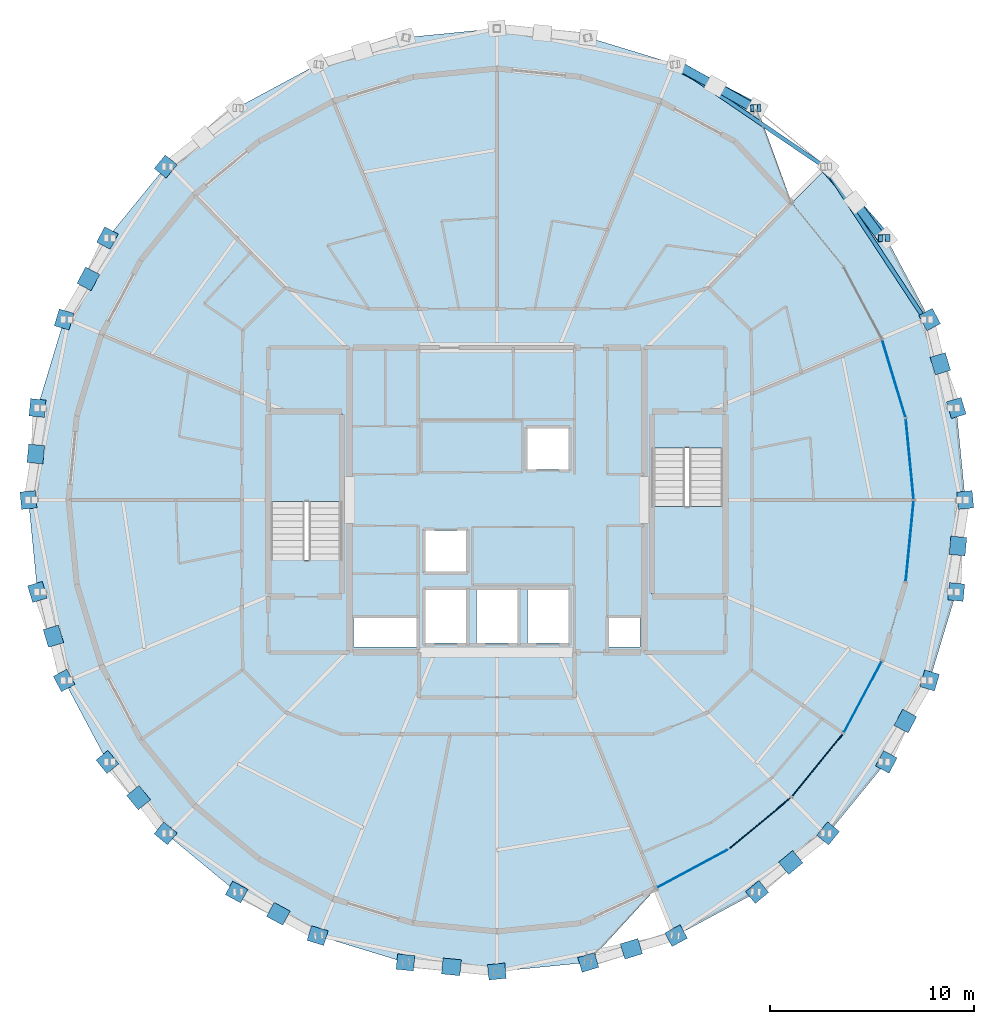
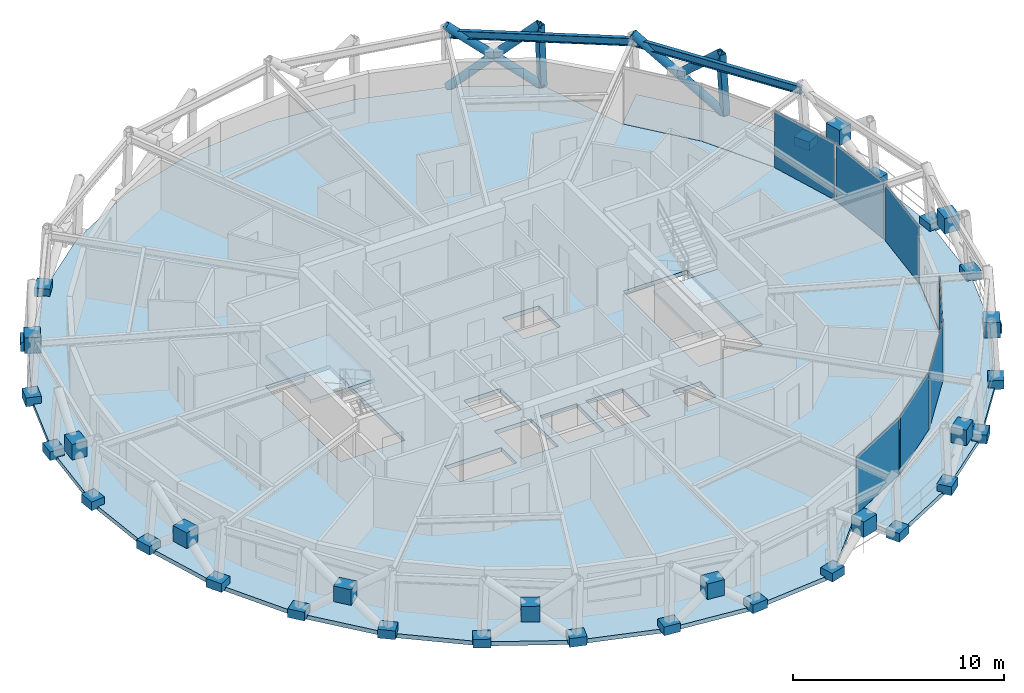
# One storey, part 9 of 15: 41 plates, 7 members, 4 slabs, 2 beams, 4 elements without a shape of their own.
"""IFC4 building model written with IfcOpenShell, lengths in metres."""

from ifc_helpers import new_model, si_unit, direction, frame, origin, origin_2d, place, context, subcontext, project, spatial, polyline, rectangle, hollow_rectangle, hollow_circle, i_section, outline, extrude, material, layer, layer_set, material_profile, profile_set, type_object, element, aggregate, save


model = new_model("IFC4")

# Units and contexts
model_context = context("Model", 3, precision=1e-05, world=origin(), true_north=direction((0.0, 1.0)))
body_context = subcontext(model_context, "Body", "Model", "MODEL_VIEW")
ifc_project = project(units=[si_unit("LENGTHUNIT", "METRE"), si_unit("AREAUNIT", "SQUARE_METRE"), si_unit("VOLUMEUNIT", "CUBIC_METRE"), si_unit("PLANEANGLEUNIT", "RADIAN"), si_unit("MASSUNIT", "GRAM", prefix="KILO")], contexts=[model_context])

# Site, building, storey
site_placement = place(None, origin())
site = spatial("IfcSite", under=ifc_project, at=site_placement, CompositionType="ELEMENT")
building_placement = place(site_placement, origin())
building = spatial("IfcBuilding", under=site, at=building_placement, Name="Veldorina Hangang Commons", CompositionType="ELEMENT")
storey_placement = place(building_placement, frame((0.0, 0.0, 250.800048828125)))
storey = spatial("IfcBuildingStorey", under=building, at=storey_placement, Name="L65", CompositionType="ELEMENT", Elevation=250.800048828125)

# Beams
ifc_material_1 = material(Name="Steel SM355-TMC", Category="steel")
ifc_material_profile_1 = material_profile(ifc_material_1, i_section(OverallWidth=0.199951171875, OverallDepth=0.449951171875, WebThickness=0.009033203125, FlangeThickness=0.013916015625, FilletRadius=0.01611328125, at=origin_2d()), Name="H-450x200x9x14")
ifc_profile_set_1 = profile_set([ifc_material_profile_1], Name="Steel SM355-TMC")
beam_type = type_object("IfcBeamType", Name="BM-RB450", PredefinedType="BEAM", material=ifc_profile_set_1)
beam_1_placement = place(storey_placement, frame((52.93994140625, 32.819580078125, 3.135009765625), z_axis=(-0.549165362874, 0.835713709484, 0.0), x_axis=(-0.835713709484, -0.549165362874, 0.0)))
element("IfcBeam", 1, at=beam_1_placement, inside=storey, type_object=beam_type, Name="L65 perimeter hoop ring beam 02", PredefinedType="BEAM", context=body_context, shape_type="SweptSolid", body=[
    extrude(i_section(OverallWidth=0.199951171875, OverallDepth=0.449951171875, WebThickness=0.009033203125, FlangeThickness=0.013916015625, FilletRadius=0.01611328125, at=origin_2d()), origin(), (0.0, 0.0, 1.0), 8.947021484375),
])
beam_2_placement = place(storey_placement, frame((48.026611328125, 40.296630859375, 3.135009765625), z_axis=(-0.827133831343, 0.562005004469, 0.0), x_axis=(-0.562005004469, -0.827133831343, 0.0)))
element("IfcBeam", 2, at=beam_2_placement, inside=storey, type_object=beam_type, Name="L65 perimeter hoop ring beam 04", PredefinedType="BEAM", context=body_context, shape_type="SweptSolid", body=[
    extrude(i_section(OverallWidth=0.199951171875, OverallDepth=0.449951171875, WebThickness=0.009033203125, FlangeThickness=0.013916015625, FilletRadius=0.01611328125, at=origin_2d()), origin(), (0.0, 0.0, 1.0), 8.8896484375),
])

# Members
ifc_material_profile_2 = material_profile(ifc_material_1, hollow_circle(Radius=0.22509765625, WallThickness=0.02197265625, at=origin_2d()), Name="CHS-450x22")
ifc_profile_set_2 = profile_set([ifc_material_profile_2], Name="Steel SM355-TMC")
member_type_1 = type_object("IfcMemberType", Name="DG-CHS450", PredefinedType="BRACE", material=ifc_profile_set_2)
member_1_placement = place(storey_placement, frame((51.044921875, 36.81005859375, 0.0), z_axis=(-0.51912433147, 0.594540195764, 0.614029220882), x_axis=(-0.753265907658, -0.657716103163, 0.0)))
element("IfcMember", 3, at=member_1_placement, inside=storey, type_object=member_type_1, Name="L65 continuous perimeter diagrid brace 03", PredefinedType="BRACE", context=body_context, shape_type="SweptSolid", body=[
    extrude(hollow_circle(Radius=0.22509765625, WallThickness=0.02197265625, at=origin_2d()), origin(), (0.0, 0.0, 1.0), 5.86279296875),
])
member_2_placement = place(storey_placement, frame((49.519287109375, 38.557373046875, 1.804443359375), z_axis=(0.458975422074, -0.620839659609, 0.635531021264), x_axis=(0.804117982347, 0.594469738898, 0.0)))
element("IfcMember", 4, at=member_2_placement, inside=storey, type_object=member_type_1, Name="L65 split perimeter diagrid upper brace 04", PredefinedType="BRACE", context=body_context, shape_type="SweptSolid", body=[
    extrude(hollow_circle(Radius=0.22509765625, WallThickness=0.02197265625, at=origin_2d()), origin(), (0.0, 0.0, 1.0), 2.824951171875),
])
member_3_placement = place(storey_placement, frame((44.725341796875, 43.171630859375, 0.0), z_axis=(-0.697425821139, 0.363623047029, 0.617556073306), x_axis=(-0.462314851589, -0.886715838361, 0.0)))
element("IfcMember", 5, at=member_3_placement, inside=storey, type_object=member_type_1, Name="L65 continuous perimeter diagrid brace 05", PredefinedType="BRACE", context=body_context, shape_type="SweptSolid", body=[
    extrude(hollow_circle(Radius=0.22509765625, WallThickness=0.02197265625, at=origin_2d()), origin(), (0.0, 0.0, 1.0), 5.8291015625),
])
member_4_placement = place(storey_placement, frame((40.765380859375, 45.302490234375, 0.0), z_axis=(0.674487187127, -0.374896379248, 0.636018662641), x_axis=(0.485822429049, 0.874057530963, 0.0)))
element("IfcMember", 6, at=member_4_placement, inside=storey, type_object=member_type_1, Name="L65 split perimeter diagrid lower brace 06", PredefinedType="BRACE", context=body_context, shape_type="SweptSolid", body=[
    extrude(hollow_circle(Radius=0.22509765625, WallThickness=0.02197265625, at=origin_2d()), origin(), (0.0, 0.0, 1.0), 2.84326171875),
])
member_5_placement = place(storey_placement, frame((42.68310546875, 44.236572265625, 1.808349609375), z_axis=(0.670694168829, -0.381631742744, 0.636024012777), x_axis=(0.494553508677, 0.86914718377, 0.0)))
element("IfcMember", 7, at=member_5_placement, inside=storey, type_object=member_type_1, Name="L65 split perimeter diagrid upper brace 06", PredefinedType="BRACE", context=body_context, shape_type="SweptSolid", body=[
    extrude(hollow_circle(Radius=0.22509765625, WallThickness=0.02197265625, at=origin_2d()), origin(), (0.0, 0.0, 1.0), 2.816650390625),
])
ifc_material_profile_3 = material_profile(ifc_material_1, hollow_rectangle(XDim=0.35009765625, YDim=0.35009765625, WallThickness=0.01611328125, at=origin_2d()), Name="SHS-350x350x16")
ifc_profile_set_3 = profile_set([ifc_material_profile_3], Name="Steel SM355-TMC")
member_type_2 = type_object("IfcMemberType", Name="STR-SHS350", PredefinedType="STRUT", material=ifc_profile_set_3)
member_6_placement = place(storey_placement, frame((51.044921875, 36.81005859375, 0.0), z_axis=(-0.063486348579, -0.001827432209, 0.997981033906), x_axis=(0.028772730747, -0.999585979276, 0.0)))
element("IfcMember", 8, at=member_6_placement, inside=storey, type_object=member_type_2, Name="L65 perimeter ring node post 03", PredefinedType="STRUT", context=body_context, shape_type="SweptSolid", body=[
    extrude(hollow_rectangle(XDim=0.35009765625, YDim=0.35009765625, WallThickness=0.01611328125, at=origin_2d()), origin(), (0.0, 0.0, 1.0), 3.607177734375),
])
member_7_placement = place(storey_placement, frame((44.725341796875, 43.171630859375, 0.0), z_axis=(-0.04248433237, -0.00277808234, 0.999093270802), x_axis=(0.065251392563, -0.997868856999, 0.0)))
element("IfcMember", 9, at=member_7_placement, inside=storey, type_object=member_type_2, Name="L65 perimeter ring node post 05", PredefinedType="STRUT", context=body_context, shape_type="SweptSolid", body=[
    extrude(hollow_rectangle(XDim=0.35009765625, YDim=0.35009765625, WallThickness=0.01611328125, at=origin_2d()), origin(), (0.0, 0.0, 1.0), 3.60302734375),
])

# Curtain wall, plates
ifc_material_2 = material(Name="Glass Low-E Selective", Category="glass")
ifc_layer_1 = layer(ifc_material_2, 0.179931640625)
ifc_layer_set_1 = layer_set([ifc_layer_1], Name="Glass Low-E Selective")
curtain_wall_type = type_object("IfcCurtainWallType", Name="CW-SYS-Z3", PredefinedType="NOTDEFINED", material=ifc_layer_set_1)
curtain_wall_1_placement = place(storey_placement, origin())
curtain_wall_1 = element("IfcCurtainWall", 10, at=curtain_wall_1_placement, inside=storey, type_object=curtain_wall_type, Name="L65 unitised curtain wall CW-L65-R1", PredefinedType="NOTDEFINED")
ifc_material_3 = material(Name="Glass Low-E Triple IGU", Category="glass")
ifc_layer_2 = layer(ifc_material_3, 0.0400390625)
ifc_layer_set_2 = layer_set([ifc_layer_2], Name="Glass Low-E Triple IGU")
plate_type_1 = type_object("IfcPlateType", Name="CW-PNL-VIS", PredefinedType="CURTAIN_PANEL", material=ifc_layer_set_2)
plate_1_placement = place(storey_placement, frame((41.563232421875, 5.974609375, 0.014892578125), z_axis=(0.0, 0.0, 1.0), x_axis=(0.880452529102, 0.474134310084, 0.0)))
plate_1 = element("IfcPlate", 11, at=plate_1_placement, type_object=plate_type_1, Name="CW-L65-R1 facet 1 glazed vision panel", PredefinedType="CURTAIN_PANEL", context=body_context, shape_type="SweptSolid", body=[
    extrude(rectangle(XDim=3.82275390625, YDim=0.0400390625, at=origin_2d()), origin(), (0.0, 0.0, 1.0), 3.2900390625),
])
plate_2_placement = place(storey_placement, frame((44.8701171875, 8.20068359375, 0.014892578125), z_axis=(0.0, 0.0, 1.0), x_axis=(0.770691215088, 0.637208797009, 0.0)))
plate_2 = element("IfcPlate", 12, at=plate_2_placement, type_object=plate_type_1, Name="CW-L65-R1 facet 2 glazed vision panel", PredefinedType="CURTAIN_PANEL", context=body_context, shape_type="SweptSolid", body=[
    extrude(rectangle(XDim=3.828125, YDim=0.0400390625, at=origin_2d()), origin(), (0.0, 0.0, 1.0), 3.2900390625),
])
plate_3_placement = place(storey_placement, frame((47.68212890625, 11.03369140625, 0.014892578125), z_axis=(0.0, 0.0, 1.0), x_axis=(0.631569330094, 0.775319405977, 0.0)))
plate_3 = element("IfcPlate", 13, at=plate_3_placement, type_object=plate_type_1, Name="CW-L65-R1 facet 3 glazed vision panel", PredefinedType="CURTAIN_PANEL", context=body_context, shape_type="SweptSolid", body=[
    extrude(rectangle(XDim=3.833984375, YDim=0.0400390625, at=origin_2d()), origin(), (0.0, 0.0, 1.0), 3.2900390625),
])
plate_4_placement = place(storey_placement, frame((49.8916015625, 14.365234375, 0.014892578125), z_axis=(0.0, 0.0, 1.0), x_axis=(0.468670031731, 0.88337330804, 0.0)))
plate_4 = element("IfcPlate", 14, at=plate_4_placement, type_object=plate_type_1, Name="CW-L65-R1 facet 4 glazed vision panel", PredefinedType="CURTAIN_PANEL", context=body_context, shape_type="SweptSolid", body=[
    extrude(rectangle(XDim=3.839599609375, YDim=0.0400390625, at=origin_2d()), origin(), (0.0, 0.0, 1.0), 3.2900390625),
])
aggregate(curtain_wall_1, [plate_1, plate_2, plate_3, plate_4])

curtain_wall_2_placement = place(storey_placement, origin())
curtain_wall_2 = element("IfcCurtainWall", 15, at=curtain_wall_2_placement, inside=storey, type_object=curtain_wall_type, Name="L65 unitised curtain wall CW-L65-R2", PredefinedType="NOTDEFINED")
plate_5_placement = place(storey_placement, frame((52.189208984375, 21.99658203125, 0.014892578125), z_axis=(0.0, 0.0, 1.0), x_axis=(0.097304976039, 0.995254611463, 0.0)))
plate_5 = element("IfcPlate", 16, at=plate_5_placement, type_object=plate_type_1, Name="CW-L65-R2 facet 1 glazed vision panel", PredefinedType="CURTAIN_PANEL", context=body_context, shape_type="SweptSolid", body=[
    extrude(rectangle(XDim=3.845703125, YDim=0.0400390625, at=origin_2d()), origin(), (0.0, 0.0, 1.0), 3.2900390625),
])
plate_6_placement = place(storey_placement, frame((52.189208984375, 26.00341796875, 0.014892578125), z_axis=(0.0, 0.0, 1.0), x_axis=(-0.097304976039, 0.995254611463, 0.0)))
plate_6 = element("IfcPlate", 17, at=plate_6_placement, type_object=plate_type_1, Name="CW-L65-R2 facet 2 glazed vision panel", PredefinedType="CURTAIN_PANEL", context=body_context, shape_type="SweptSolid", body=[
    extrude(rectangle(XDim=3.845703125, YDim=0.0400390625, at=origin_2d()), origin(), (0.0, 0.0, 1.0), 3.2900390625),
])
plate_7_placement = place(storey_placement, frame((51.41357421875, 29.93310546875, 0.014892578125), z_axis=(0.0, 0.0, 1.0), x_axis=(-0.288296543192, 0.957541175712, 0.0)))
plate_7 = element("IfcPlate", 18, at=plate_7_placement, type_object=plate_type_1, Name="CW-L65-R2 facet 3 glazed vision panel", PredefinedType="CURTAIN_PANEL", context=body_context, shape_type="SweptSolid", body=[
    extrude(rectangle(XDim=3.843505859375, YDim=0.0400390625, at=origin_2d()), origin(), (0.0, 0.0, 1.0), 3.2900390625),
])
aggregate(curtain_wall_2, [plate_5, plate_6, plate_7])

# Plates
ifc_material_4 = material(Name="Steel SM460-TMC", Category="steel")
ifc_layer_3 = layer(ifc_material_4, 0.035888671875)
ifc_layer_set_3 = layer_set([ifc_layer_3], Name="Steel SM460-TMC")
plate_type_2 = type_object("IfcPlateType", Name="PL-STAR-36", PredefinedType="USERDEFINED", material=ifc_layer_set_3)
for number, where, z_axis, x_axis, name in (
    (19, (54.9052734375, 24.0, -0.090087890625), (0.0, 0.0, 1.0), (-0.097374457681, 0.995247815869, 0.0), "L65 diagrid star-node gusset plate 00"),
    (20, (54.465087890625, 28.498291015625, -0.090087890625), (0.0, 0.0, 1.0), (-0.288530506031, 0.957470702993, 0.0), "L65 diagrid star-node gusset plate 01"),
):
    element("IfcPlate", number, at=place(storey_placement, frame(where, z_axis=z_axis, x_axis=x_axis)), inside=storey, type_object=plate_type_2, Name=name, ObjectType="GUSSET PLATE", PredefinedType="USERDEFINED", context=body_context, shape_type="SweptSolid", body=[
        extrude(rectangle(XDim=0.85009765625, YDim=0.75, at=origin_2d()), origin(), (0.0, 0.0, 1.0), 0.5),
    ])
plate_8_placement = place(storey_placement, frame((53.685546875, 30.660400390625, 1.351318359375), z_axis=(0.0, 0.0, 1.0), x_axis=(-0.288530506031, 0.957470702993, 0.0)))
element("IfcPlate", 21, at=plate_8_placement, inside=storey, type_object=plate_type_2, Name="L65 diagrid X-crossing star-node gusset plate 01", ObjectType="GUSSET PLATE", PredefinedType="USERDEFINED", context=body_context, shape_type="SweptSolid", body=[
    extrude(rectangle(XDim=0.89990234375, YDim=0.780029296875, at=origin_2d()), origin(), (0.0, 0.0, 1.0), 0.89990234375),
])
for number, where, z_axis, x_axis, name in (
    (22, (53.16162109375, 32.82373046875, -0.090087890625), (0.0, 0.0, 1.0), (-0.468962943639, 0.883217842604, 0.0), "L65 diagrid star-node gusset plate 02"),
    (23, (15.8037109375, 40.30419921875, -0.090087890625), (0.0, 0.0, 1.0), (-0.631880512357, -0.775065815337, 0.0), "L65 diagrid star-node gusset plate 12"),
    (24, (12.955078125, 36.81005859375, -0.090087890625), (0.0, 0.0, 1.0), (-0.468962943639, -0.883217842604, 0.0), "L65 diagrid star-node gusset plate 13"),
):
    element("IfcPlate", number, at=place(storey_placement, frame(where, z_axis=z_axis, x_axis=x_axis)), inside=storey, type_object=plate_type_2, Name=name, ObjectType="GUSSET PLATE", PredefinedType="USERDEFINED", context=body_context, shape_type="SweptSolid", body=[
        extrude(rectangle(XDim=0.85009765625, YDim=0.75, at=origin_2d()), origin(), (0.0, 0.0, 1.0), 0.5),
    ])
plate_9_placement = place(storey_placement, frame((12.022705078125, 34.8115234375, 1.352783203125), z_axis=(0.0, 0.0, 1.0), x_axis=(-0.468962943639, -0.883217842604, 0.0)))
element("IfcPlate", 25, at=plate_9_placement, inside=storey, type_object=plate_type_2, Name="L65 diagrid X-crossing star-node gusset plate 13", ObjectType="GUSSET PLATE", PredefinedType="USERDEFINED", context=body_context, shape_type="SweptSolid", body=[
    extrude(rectangle(XDim=0.89990234375, YDim=0.780029296875, at=origin_2d()), origin(), (0.0, 0.0, 1.0), 0.89990234375),
])
for number, where, z_axis, x_axis, name in (
    (26, (10.83837890625, 32.82373046875, -0.090087890625), (0.0, 0.0, 1.0), (-0.288530506031, -0.957470702993, 0.0), "L65 diagrid star-node gusset plate 14"),
    (27, (9.534912109375, 28.498291015625, -0.090087890625), (0.0, 0.0, 1.0), (-0.097374457681, -0.995247815869, 0.0), "L65 diagrid star-node gusset plate 15"),
):
    element("IfcPlate", number, at=place(storey_placement, frame(where, z_axis=z_axis, x_axis=x_axis)), inside=storey, type_object=plate_type_2, Name=name, ObjectType="GUSSET PLATE", PredefinedType="USERDEFINED", context=body_context, shape_type="SweptSolid", body=[
        extrude(rectangle(XDim=0.85009765625, YDim=0.75, at=origin_2d()), origin(), (0.0, 0.0, 1.0), 0.5),
    ])
plate_10_placement = place(storey_placement, frame((9.45263671875, 26.24853515625, 1.3505859375), z_axis=(0.0, 0.0, 1.0), x_axis=(-0.097374457681, -0.995247815869, 0.0)))
element("IfcPlate", 28, at=plate_10_placement, inside=storey, type_object=plate_type_2, Name="L65 diagrid X-crossing star-node gusset plate 15", ObjectType="GUSSET PLATE", PredefinedType="USERDEFINED", context=body_context, shape_type="SweptSolid", body=[
    extrude(rectangle(XDim=0.89990234375, YDim=0.780029296875, at=origin_2d()), origin(), (0.0, 0.0, 1.0), 0.89990234375),
])
for number, where, z_axis, x_axis, name in (
    (29, (9.0947265625, 24.0, -0.090087890625), (0.0, 0.0, 1.0), (0.097374457681, -0.995247815869, 0.0), "L65 diagrid star-node gusset plate 16"),
    (30, (9.534912109375, 19.501708984375, -0.090087890625), (0.0, 0.0, 1.0), (0.288530506031, -0.957470702993, 0.0), "L65 diagrid star-node gusset plate 17"),
):
    element("IfcPlate", number, at=place(storey_placement, frame(where, z_axis=z_axis, x_axis=x_axis)), inside=storey, type_object=plate_type_2, Name=name, ObjectType="GUSSET PLATE", PredefinedType="USERDEFINED", context=body_context, shape_type="SweptSolid", body=[
        extrude(rectangle(XDim=0.85009765625, YDim=0.75, at=origin_2d()), origin(), (0.0, 0.0, 1.0), 0.5),
    ])
plate_11_placement = place(storey_placement, frame((10.314453125, 17.339599609375, 1.351318359375), z_axis=(0.0, 0.0, 1.0), x_axis=(0.288530506031, -0.957470702993, 0.0)))
element("IfcPlate", 31, at=plate_11_placement, inside=storey, type_object=plate_type_2, Name="L65 diagrid X-crossing star-node gusset plate 17", ObjectType="GUSSET PLATE", PredefinedType="USERDEFINED", context=body_context, shape_type="SweptSolid", body=[
    extrude(rectangle(XDim=0.89990234375, YDim=0.780029296875, at=origin_2d()), origin(), (0.0, 0.0, 1.0), 0.89990234375),
])
for number, where, z_axis, x_axis, name in (
    (32, (10.83837890625, 15.17626953125, -0.090087890625), (0.0, 0.0, 1.0), (0.468962943639, -0.883217842604, 0.0), "L65 diagrid star-node gusset plate 18"),
    (33, (12.955078125, 11.18994140625, -0.090087890625), (0.0, 0.0, 1.0), (0.631880512357, -0.775065815337, 0.0), "L65 diagrid star-node gusset plate 19"),
):
    element("IfcPlate", number, at=place(storey_placement, frame(where, z_axis=z_axis, x_axis=x_axis)), inside=storey, type_object=plate_type_2, Name=name, ObjectType="GUSSET PLATE", PredefinedType="USERDEFINED", context=body_context, shape_type="SweptSolid", body=[
        extrude(rectangle(XDim=0.85009765625, YDim=0.75, at=origin_2d()), origin(), (0.0, 0.0, 1.0), 0.5),
    ])
plate_12_placement = place(storey_placement, frame((14.480712890625, 9.442626953125, 1.3544921875), z_axis=(0.0, 0.0, 1.0), x_axis=(0.631880512357, -0.775065815337, 0.0)))
element("IfcPlate", 34, at=plate_12_placement, inside=storey, type_object=plate_type_2, Name="L65 diagrid X-crossing star-node gusset plate 19", ObjectType="GUSSET PLATE", PredefinedType="USERDEFINED", context=body_context, shape_type="SweptSolid", body=[
    extrude(rectangle(XDim=0.89990234375, YDim=0.780029296875, at=origin_2d()), origin(), (0.0, 0.0, 1.0), 0.89990234375),
])
for number, where, z_axis, x_axis, name in (
    (35, (15.8037109375, 7.69580078125, -0.090087890625), (0.0, 0.0, 1.0), (0.770946944991, -0.636899370395, 0.0), "L65 diagrid star-node gusset plate 20"),
    (36, (19.274658203125, 4.828369140625, -0.090087890625), (0.0, 0.0, 1.0), (0.880617979554, -0.473826945293, 0.0), "L65 diagrid star-node gusset plate 21"),
):
    element("IfcPlate", number, at=place(storey_placement, frame(where, z_axis=z_axis, x_axis=x_axis)), inside=storey, type_object=plate_type_2, Name=name, ObjectType="GUSSET PLATE", PredefinedType="USERDEFINED", context=body_context, shape_type="SweptSolid", body=[
        extrude(rectangle(XDim=0.85009765625, YDim=0.75, at=origin_2d()), origin(), (0.0, 0.0, 1.0), 0.5),
    ])
plate_13_placement = place(storey_placement, frame((21.31689453125, 3.763427734375, 1.3583984375), z_axis=(0.0, 0.0, 1.0), x_axis=(0.880617979554, -0.473826945293, 0.0)))
element("IfcPlate", 37, at=plate_13_placement, inside=storey, type_object=plate_type_2, Name="L65 diagrid X-crossing star-node gusset plate 21", ObjectType="GUSSET PLATE", PredefinedType="USERDEFINED", context=body_context, shape_type="SweptSolid", body=[
    extrude(rectangle(XDim=0.89990234375, YDim=0.780029296875, at=origin_2d()), origin(), (0.0, 0.0, 1.0), 0.89990234375),
])
for number, where, z_axis, x_axis, name in (
    (38, (23.234619140625, 2.697509765625, -0.090087890625), (0.0, 0.0, 1.0), (0.95639656005, -0.2920712583, 0.0), "L65 diagrid star-node gusset plate 22"),
    (39, (27.531494140625, 1.385498046875, -0.090087890625), (0.0, 0.0, 1.0), (0.995121222463, -0.098659782103, 0.0), "L65 diagrid star-node gusset plate 23"),
):
    element("IfcPlate", number, at=place(storey_placement, frame(where, z_axis=z_axis, x_axis=x_axis)), inside=storey, type_object=plate_type_2, Name=name, ObjectType="GUSSET PLATE", PredefinedType="USERDEFINED", context=body_context, shape_type="SweptSolid", body=[
        extrude(rectangle(XDim=0.85009765625, YDim=0.75, at=origin_2d()), origin(), (0.0, 0.0, 1.0), 0.5),
    ])
plate_14_placement = place(storey_placement, frame((29.779052734375, 1.168701171875, 1.36083984375), z_axis=(0.0, 0.0, 1.0), x_axis=(0.995121222463, -0.098659782103, 0.0)))
element("IfcPlate", 40, at=plate_14_placement, inside=storey, type_object=plate_type_2, Name="L65 diagrid X-crossing star-node gusset plate 23", ObjectType="GUSSET PLATE", PredefinedType="USERDEFINED", context=body_context, shape_type="SweptSolid", body=[
    extrude(rectangle(XDim=0.89990234375, YDim=0.780029296875, at=origin_2d()), origin(), (0.0, 0.0, 1.0), 0.89990234375),
])
for number, where, z_axis, x_axis, name in (
    (41, (32.0, 0.9423828125, -0.090087890625), (0.0, 0.0, 1.0), (0.995121222463, 0.098659782103, 0.0), "L65 diagrid star-node gusset plate 24"),
    (42, (36.468505859375, 1.385498046875, -0.090087890625), (0.0, 0.0, 1.0), (0.95639656005, 0.2920712583, 0.0), "L65 diagrid star-node gusset plate 25"),
):
    element("IfcPlate", number, at=place(storey_placement, frame(where, z_axis=z_axis, x_axis=x_axis)), inside=storey, type_object=plate_type_2, Name=name, ObjectType="GUSSET PLATE", PredefinedType="USERDEFINED", context=body_context, shape_type="SweptSolid", body=[
        extrude(rectangle(XDim=0.85009765625, YDim=0.75, at=origin_2d()), origin(), (0.0, 0.0, 1.0), 0.5),
    ])
plate_15_placement = place(storey_placement, frame((38.575927734375, 2.05078125, 1.360107421875), z_axis=(0.0, 0.0, 1.0), x_axis=(0.95639656005, 0.2920712583, 0.0)))
element("IfcPlate", 43, at=plate_15_placement, inside=storey, type_object=plate_type_2, Name="L65 diagrid X-crossing star-node gusset plate 25", ObjectType="GUSSET PLATE", PredefinedType="USERDEFINED", context=body_context, shape_type="SweptSolid", body=[
    extrude(rectangle(XDim=0.89990234375, YDim=0.780029296875, at=origin_2d()), origin(), (0.0, 0.0, 1.0), 0.89990234375),
])
for number, where, z_axis, x_axis, name in (
    (44, (40.765380859375, 2.697509765625, -0.090087890625), (0.0, 0.0, 1.0), (0.880617979554, 0.473826945293, 0.0), "L65 diagrid star-node gusset plate 26"),
    (45, (44.725341796875, 4.828369140625, -0.090087890625), (0.0, 0.0, 1.0), (0.770946944991, 0.636899370395, 0.0), "L65 diagrid star-node gusset plate 27"),
):
    element("IfcPlate", number, at=place(storey_placement, frame(where, z_axis=z_axis, x_axis=x_axis)), inside=storey, type_object=plate_type_2, Name=name, ObjectType="GUSSET PLATE", PredefinedType="USERDEFINED", context=body_context, shape_type="SweptSolid", body=[
        extrude(rectangle(XDim=0.85009765625, YDim=0.75, at=origin_2d()), origin(), (0.0, 0.0, 1.0), 0.5),
    ])
plate_16_placement = place(storey_placement, frame((46.369384765625, 6.271728515625, 1.356689453125), z_axis=(0.0, 0.0, 1.0), x_axis=(0.770946944991, 0.636899370395, 0.0)))
element("IfcPlate", 46, at=plate_16_placement, inside=storey, type_object=plate_type_2, Name="L65 diagrid X-crossing star-node gusset plate 27", ObjectType="GUSSET PLATE", PredefinedType="USERDEFINED", context=body_context, shape_type="SweptSolid", body=[
    extrude(rectangle(XDim=0.89990234375, YDim=0.780029296875, at=origin_2d()), origin(), (0.0, 0.0, 1.0), 0.89990234375),
])
for number, where, z_axis, x_axis, name in (
    (47, (48.1962890625, 7.69580078125, -0.090087890625), (0.0, 0.0, 1.0), (0.631880512357, 0.775065815337, 0.0), "L65 diagrid star-node gusset plate 28"),
    (48, (51.044921875, 11.18994140625, -0.090087890625), (0.0, 0.0, 1.0), (0.468962943639, 0.883217842604, 0.0), "L65 diagrid star-node gusset plate 29"),
):
    element("IfcPlate", number, at=place(storey_placement, frame(where, z_axis=z_axis, x_axis=x_axis)), inside=storey, type_object=plate_type_2, Name=name, ObjectType="GUSSET PLATE", PredefinedType="USERDEFINED", context=body_context, shape_type="SweptSolid", body=[
        extrude(rectangle(XDim=0.85009765625, YDim=0.75, at=origin_2d()), origin(), (0.0, 0.0, 1.0), 0.5),
    ])
plate_17_placement = place(storey_placement, frame((51.977294921875, 13.1884765625, 1.352783203125), z_axis=(0.0, 0.0, 1.0), x_axis=(0.468962943639, 0.883217842604, 0.0)))
element("IfcPlate", 49, at=plate_17_placement, inside=storey, type_object=plate_type_2, Name="L65 diagrid X-crossing star-node gusset plate 29", ObjectType="GUSSET PLATE", PredefinedType="USERDEFINED", context=body_context, shape_type="SweptSolid", body=[
    extrude(rectangle(XDim=0.89990234375, YDim=0.780029296875, at=origin_2d()), origin(), (0.0, 0.0, 1.0), 0.89990234375),
])
for number, where, z_axis, x_axis, name in (
    (50, (53.16162109375, 15.17626953125, -0.090087890625), (0.0, 0.0, 1.0), (0.288530506031, 0.957470702993, 0.0), "L65 diagrid star-node gusset plate 30"),
    (51, (54.465087890625, 19.501708984375, -0.090087890625), (0.0, 0.0, 1.0), (0.097374457681, 0.995247815869, 0.0), "L65 diagrid star-node gusset plate 31"),
):
    element("IfcPlate", number, at=place(storey_placement, frame(where, z_axis=z_axis, x_axis=x_axis)), inside=storey, type_object=plate_type_2, Name=name, ObjectType="GUSSET PLATE", PredefinedType="USERDEFINED", context=body_context, shape_type="SweptSolid", body=[
        extrude(rectangle(XDim=0.85009765625, YDim=0.75, at=origin_2d()), origin(), (0.0, 0.0, 1.0), 0.5),
    ])
plate_18_placement = place(storey_placement, frame((54.54736328125, 21.75146484375, 1.3505859375), z_axis=(0.0, 0.0, 1.0), x_axis=(0.097374457681, 0.995247815869, 0.0)))
element("IfcPlate", 52, at=plate_18_placement, inside=storey, type_object=plate_type_2, Name="L65 diagrid X-crossing star-node gusset plate 31", ObjectType="GUSSET PLATE", PredefinedType="USERDEFINED", context=body_context, shape_type="SweptSolid", body=[
    extrude(rectangle(XDim=0.89990234375, YDim=0.780029296875, at=origin_2d()), origin(), (0.0, 0.0, 1.0), 0.89990234375),
])

# Slabs
ifc_material_5 = material(Name="Concrete C40/50", Category="concrete")
ifc_layer_4 = layer(ifc_material_5, 0.239990234375)
ifc_layer_set_4 = layer_set([ifc_layer_4], Name="Concrete C40/50")
slab_type_1 = type_object("IfcSlabType", Name="SL-FLR-240", PredefinedType="FLOOR", material=ifc_layer_set_4)
slab_1_placement = place(storey_placement, frame((0.0, 0.0, -0.239990234375)))
element("IfcSlab", 53, at=slab_1_placement, inside=storey, type_object=slab_type_1, Name="L65 tower structural floor slab", PredefinedType="FLOOR", context=body_context, shape_type="SweptSolid", body=[
    extrude(outline(polyline([(52.38525390625, 24.0), (51.993408203125, 28.006591796875), (50.83349609375, 31.859375), (48.94970703125, 35.41015625), (46.41455078125, 38.522216796875), (44.725341796875, 43.171630859375), (40.765380859375, 45.302490234375), (36.468505859375, 46.614501953125), (32.0, 47.0576171875), (27.531494140625, 46.614501953125), (23.234619140625, 45.302490234375), (19.274658203125, 43.171630859375), (15.8037109375, 40.30419921875), (12.955078125, 36.81005859375), (10.83837890625, 32.82373046875), (9.534912109375, 28.498291015625), (9.0947265625, 24.0), (9.534912109375, 19.501708984375), (10.83837890625, 15.17626953125), (12.955078125, 11.18994140625), (15.8037109375, 7.69580078125), (19.274658203125, 4.828369140625), (23.234619140625, 2.697509765625), (27.531494140625, 1.385498046875), (32.0, 0.9423828125), (36.468505859375, 1.385498046875), (39.801025390625, 5.025634765625), (43.325439453125, 6.923583984375), (46.41455078125, 9.477783203125), (48.94970703125, 12.58984375), (50.83349609375, 16.140625), (51.993408203125, 19.993408203125), (52.38525390625, 24.0)]), holes=[polyline([(20.949951171875, 21.05810546875), (20.949951171875, 28.199951171875), (24.449951171875, 28.199951171875), (24.449951171875, 21.05810546875), (20.949951171875, 21.05810546875)]), polyline([(43.050048828125, 26.5419921875), (43.050048828125, 19.39990234375), (39.550048828125, 19.39990234375), (39.550048828125, 26.5419921875), (43.050048828125, 26.5419921875)]), polyline([(33.5, 27.5), (35.5, 27.5), (35.5, 25.5), (33.5, 25.5), (33.5, 27.5)]), polyline([(28.5, 22.5), (30.5, 22.5), (30.5, 20.5), (28.5, 20.5), (28.5, 22.5)]), polyline([(28.5, 19.60009765625), (30.5, 19.60009765625), (30.5, 17.0), (28.5, 17.0), (28.5, 19.60009765625)]), polyline([(31.0, 19.60009765625), (33.0, 19.60009765625), (33.0, 17.0), (31.0, 17.0), (31.0, 19.60009765625)]), polyline([(33.5, 19.60009765625), (35.5, 19.60009765625), (35.5, 17.0), (33.5, 17.0), (33.5, 19.60009765625)]), polyline([(25.0, 18.25), (28.10009765625, 18.25), (28.10009765625, 16.800048828125), (25.0, 16.800048828125), (25.0, 18.25)]), polyline([(37.449951171875, 18.25), (39.0, 18.25), (39.0, 16.800048828125), (37.449951171875, 16.800048828125), (37.449951171875, 18.25)])]), origin(), (0.0, 0.0, 1.0), 0.239990234375),
])
slab_2_placement = place(storey_placement, frame((0.0, 0.0, -0.239990234375)))
element("IfcSlab", 54, at=slab_2_placement, inside=storey, type_object=slab_type_1, Name="L65 sky-garden loggia outdoor slab", PredefinedType="FLOOR", context=body_context, shape_type="SweptSolid", body=[
    extrude(outline(polyline([(48.1962890625, 40.30419921875), (51.044921875, 36.81005859375), (53.16162109375, 32.82373046875), (54.465087890625, 28.498291015625), (54.9052734375, 24.0), (54.465087890625, 19.501708984375), (53.16162109375, 15.17626953125), (51.044921875, 11.18994140625), (48.1962890625, 7.69580078125), (44.725341796875, 4.828369140625), (40.765380859375, 2.697509765625), (39.807373046875, 5.010498046875), (39.810302734375, 5.013671875), (43.33251953125, 6.910400390625), (43.333740234375, 6.9111328125), (43.3349609375, 6.912109375), (46.424072265625, 9.466064453125), (46.425048828125, 9.467041015625), (46.426025390625, 9.46826171875), (48.961181640625, 12.580322265625), (48.962158203125, 12.58154296875), (48.962890625, 12.5830078125), (50.8466796875, 16.133544921875), (50.847412109375, 16.135009765625), (50.847900390625, 16.13623046875), (52.0078125, 19.989013671875), (52.00830078125, 19.990478515625), (52.00830078125, 19.99169921875), (52.400146484375, 23.99853515625), (52.400146484375, 24.0), (52.400146484375, 24.00146484375), (52.00830078125, 28.00830078125), (52.00830078125, 28.009521484375), (52.0078125, 28.010986328125), (50.847900390625, 31.86376953125), (50.847412109375, 31.864990234375), (50.8466796875, 31.866455078125), (48.962890625, 35.4169921875), (48.962158203125, 35.41845703125), (48.961181640625, 35.419677734375), (46.427734375, 38.52978515625), (46.42626953125, 38.533935546875), (48.1962890625, 40.30419921875)])), origin(), (0.0, 0.0, 1.0), 0.239990234375),
])

# Stair, slab
stair_type = type_object("IfcStairType", Name="STR-DOG-1650-20R", PredefinedType="HALF_TURN_STAIR", material=ifc_material_5)
stair_1_placement = place(storey_placement, origin())
stair_1 = element("IfcStair", 55, at=stair_1_placement, inside=storey, type_object=stair_type, Name="L65 Exit stair ST-1", PredefinedType="HALF_TURN_STAIR")
ifc_layer_5 = layer(ifc_material_5, 0.199951171875)
ifc_layer_set_5 = layer_set([ifc_layer_5], Name="Concrete C40/50")
slab_type_2 = type_object("IfcSlabType", Name="SL-LND-200", PredefinedType="LANDING", material=ifc_layer_set_5)
slab_3_placement = place(storey_placement, frame((0.0, 0.0, 1.599853515625)))
slab_3 = element("IfcSlab", 56, at=slab_3_placement, type_object=slab_type_2, Name="ST-1 landing 1", PredefinedType="LANDING", context=body_context, shape_type="SweptSolid", body=[
    extrude(outline(polyline([(24.449951171875, 23.929931640625), (24.449951171875, 28.199951171875), (20.949951171875, 28.199951171875), (20.949951171875, 23.929931640625), (24.449951171875, 23.929931640625)])), origin(), (0.0, 0.0, 1.0), 0.2001953125),
])
aggregate(stair_1, [slab_3])

stair_2_placement = place(storey_placement, origin())
stair_2 = element("IfcStair", 57, at=stair_2_placement, inside=storey, type_object=stair_type, Name="L65 Exit stair ST-2", PredefinedType="HALF_TURN_STAIR")
slab_4_placement = place(storey_placement, frame((0.0, 0.0, 1.599853515625)))
slab_4 = element("IfcSlab", 58, at=slab_4_placement, type_object=slab_type_2, Name="ST-2 landing 1", PredefinedType="LANDING", context=body_context, shape_type="SweptSolid", body=[
    extrude(outline(polyline([(39.550048828125, 23.669921875), (39.550048828125, 19.39990234375), (43.050048828125, 19.39990234375), (43.050048828125, 23.669921875), (39.550048828125, 23.669921875)])), origin(), (0.0, 0.0, 1.0), 0.2001953125),
])
aggregate(stair_2, [slab_4])

save(model, "model.ifc")
